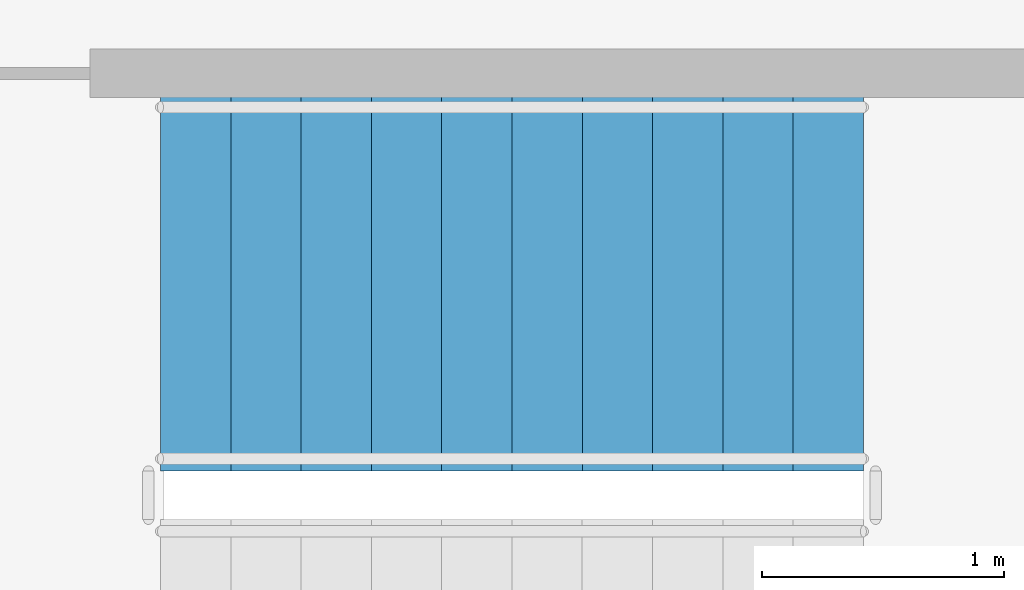
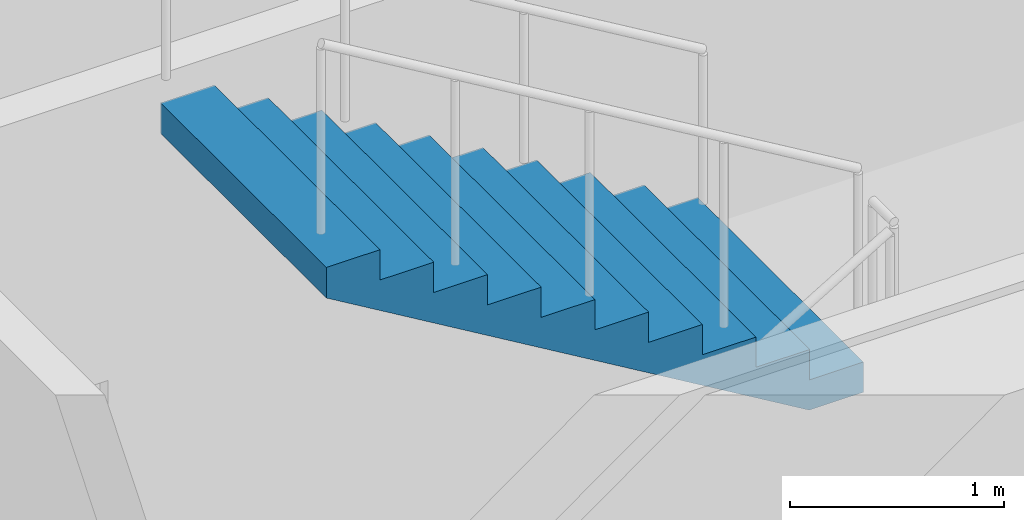
# One storey, part 16 of 20: 1 stair flight, 1 element without a shape of its own.
"""IFC4 building model written with IfcOpenShell, lengths in metres."""

import ifcopenshell
import ifcopenshell.guid

model = None  # the IFC model being written
_history = None  # IfcOwnerHistory: only IFC2X3 demands one
_inside = {}  # id of a spatial element -> (the spatial element, [elements in it])
_under = {}  # id of a project, library or spatial element -> (it, [spatial elements below it])
_declared = {}  # id of a project -> (the project, [libraries it declares])
_typed = {}  # id of a type object -> (the type object, [elements of that type])
_made_of = {}  # id of a material, layer set ... -> (it, [elements and type objects made of it])


def new_model(schema):
    """Start an empty IFC model of exactly this schema.

    Asked for "IFC4X3", IfcOpenShell would pick the latest addendum, in which some entities
    have other attributes; the version numbers below select the first issue.
    IFC2X3 requires an IfcOwnerHistory on every rooted entity: one is made here for all.
    """
    global model, _history
    if schema == "IFC4X3":
        model = ifcopenshell.file(schema_version=(4, 3, 0, 0))
    else:
        model = ifcopenshell.file(schema=schema)
    _inside.clear()
    _under.clear()
    _declared.clear()
    _typed.clear()
    _made_of.clear()
    _history = None
    if model.schema == "IFC2X3":
        org = make("IfcOrganization", Name="unknown")
        user = make(
            "IfcPersonAndOrganization",
            ThePerson=make("IfcPerson", FamilyName="unknown"),
            TheOrganization=org,
        )
        app = make(
            "IfcApplication",
            ApplicationDeveloper=org,
            Version="unknown",
            ApplicationFullName="unknown",
            ApplicationIdentifier="unknown",
        )
        _history = make(
            "IfcOwnerHistory",
            OwningUser=user,
            OwningApplication=app,
            ChangeAction="ADDED",
            CreationDate=0,
        )
    return model


def make(cls, **values):
    """One entity of the class cls with the attributes given. An attribute that is None is left unset."""
    return model.create_entity(
        cls, **{name: value for name, value in values.items() if value is not None}
    )


def rooted(cls, **values):
    """An entity with a GlobalId (a new one), such as an element, a storey or a relation."""
    return make(cls, GlobalId=ifcopenshell.guid.new(), OwnerHistory=_history, **values)


def si_unit(unit_type, name, prefix=None):
    """IfcSIUnit, for example si_unit("LENGTHUNIT", "METRE", prefix="MILLI")."""
    return make("IfcSIUnit", UnitType=unit_type, Prefix=prefix, Name=name)


def assignment(units):
    """IfcUnitAssignment: the units of a project."""
    return None if units is None else make("IfcUnitAssignment", Units=units)


def point(xyz):
    """IfcCartesianPoint."""
    return None if xyz is None else make("IfcCartesianPoint", Coordinates=xyz)


def direction(xyz):
    """IfcDirection."""
    return None if xyz is None else make("IfcDirection", DirectionRatios=xyz)


def frame(location, z_axis=None, x_axis=None):
    """IfcAxis2Placement3D, a coordinate frame: its origin and axes. An axis left out is left unset."""
    return make(
        "IfcAxis2Placement3D",
        Location=point(location),
        Axis=direction(z_axis),
        RefDirection=direction(x_axis),
    )


def origin():
    """The frame at (0, 0, 0) with its axes left unset."""
    return frame((0.0, 0.0, 0.0))


def place(relative_to, where):
    """IfcLocalPlacement: puts the frame where relative to a parent placement (None: the world)."""
    return make(
        "IfcLocalPlacement", PlacementRelTo=relative_to, RelativePlacement=where
    )


def context(
    kind, dimensions, precision=None, world=None, true_north=None, identifier=None
):
    """IfcGeometricRepresentationContext, for example the 3D "Model" context."""
    return make(
        "IfcGeometricRepresentationContext",
        ContextIdentifier=identifier,
        ContextType=kind,
        CoordinateSpaceDimension=dimensions,
        Precision=precision,
        WorldCoordinateSystem=world,
        TrueNorth=true_north,
    )


def subcontext(parent, identifier, kind, view, scale=None):
    """IfcGeometricRepresentationSubContext, for example "Body" below "Model"."""
    return make(
        "IfcGeometricRepresentationSubContext",
        ContextIdentifier=identifier,
        ContextType=kind,
        ParentContext=parent,
        TargetScale=scale,
        TargetView=view,
    )


def project(units=None, contexts=None):
    """IfcProject with its units and contexts."""
    return rooted(
        "IfcProject",
        Name="project",
        RepresentationContexts=contexts,
        UnitsInContext=assignment(units),
    )


def spatial(cls, under=None, at=None, **own):
    """A site, building, storey or space (cls), placed at a placement, below another one or the project."""
    s = rooted(cls, ObjectPlacement=at, **own)
    if under is not None:
        _under.setdefault(under.id(), (under, []))[1].append(s)
    return s


def polyline(points):
    """IfcPolyline through the points."""
    return make("IfcPolyline", Points=[point(p) for p in points])


def outline(outer, holes=None, kind="AREA"):
    """IfcArbitraryClosedProfileDef: a profile drawn as a closed curve; with holes, ...WithVoids."""
    if holes is None:
        return make("IfcArbitraryClosedProfileDef", ProfileType=kind, OuterCurve=outer)
    return make(
        "IfcArbitraryProfileDefWithVoids",
        ProfileType=kind,
        OuterCurve=outer,
        InnerCurves=holes,
    )


def extrude(swept, where, along, depth):
    """IfcExtrudedAreaSolid: the profile swept, set in the frame where, extruded along a direction by depth."""
    return make(
        "IfcExtrudedAreaSolid",
        SweptArea=swept,
        Position=where,
        ExtrudedDirection=direction(along),
        Depth=depth,
    )


def shape(context_of_items, identifier, shape_type, items):
    """IfcShapeRepresentation: the items that make up one representation, for example the "Body"."""
    return make(
        "IfcShapeRepresentation",
        ContextOfItems=context_of_items,
        RepresentationIdentifier=identifier,
        RepresentationType=shape_type,
        Items=items,
    )


def material(Name=None, Category=None):
    """IfcMaterial."""
    return make("IfcMaterial", Name=Name, Category=Category)


def made_of(thing, what):
    """Note that an element or type object is made of a material, layer set ...; save() writes the relation."""
    if what is not None:
        _made_of.setdefault(what.id(), (what, []))[1].append(thing)
    return thing


def type_object(cls, material=None, **own):
    """A type object (cls), such as IfcWallType, which elements share."""
    return made_of(rooted(cls, **own), material)


def element(
    cls,
    number,
    at=None,
    inside=None,
    cuts=None,
    type_object=None,
    material=None,
    context=None,
    identifier="Body",
    shape_type=None,
    held_by="IfcProductDefinitionShape",
    body=None,
    shapes=None,
    **own,
):
    """One element of the class cls, such as IfcWall. Its Tag is "e" and its number.

    at: its placement. inside: the storey or other place that contains it. cuts: it is an
    opening in that element (IfcRelVoidsElement). A single representation is given by context,
    identifier, shape_type and body (its items); several are given by shapes. held_by: the class
    of the entity that holds the representations. save() writes the other relations.
    """
    e = rooted(cls, Tag="e%d" % number, ObjectPlacement=at, **own)
    if body is not None:
        shapes = [shape(context, identifier, shape_type, body)]
    if shapes is not None:
        e.Representation = make(held_by, Representations=shapes)
    if inside is not None:
        _inside.setdefault(inside.id(), (inside, []))[1].append(e)
    if cuts is not None:
        rooted(
            "IfcRelVoidsElement", RelatingBuildingElement=cuts, RelatedOpeningElement=e
        )
    if type_object is not None:
        _typed.setdefault(type_object.id(), (type_object, []))[1].append(e)
    return made_of(e, material)


def aggregate(whole, parts):
    """IfcRelAggregates: a whole, such as a stair, and the parts it consists of."""
    return rooted("IfcRelAggregates", RelatingObject=whole, RelatedObjects=parts)


def save(model, path):
    """Write the relations noted so far, then the file.

    IfcRelAggregates (storeys below a building ...), IfcRelContainedInSpatialStructure (elements
    in a storey), IfcRelDefinesByType, IfcRelAssociatesMaterial and IfcRelDeclares: one each for
    every whole, place, type object, material and project.
    """
    for whole, parts in _under.values():
        aggregate(whole, parts)
    for where, things in _inside.values():
        rooted(
            "IfcRelContainedInSpatialStructure",
            RelatedElements=things,
            RelatingStructure=where,
        )
    for kind, things in _typed.values():
        rooted("IfcRelDefinesByType", RelatedObjects=things, RelatingType=kind)
    for what, things in _made_of.values():
        rooted("IfcRelAssociatesMaterial", RelatedObjects=things, RelatingMaterial=what)
    for by, libraries in _declared.values():
        rooted("IfcRelDeclares", RelatingContext=by, RelatedDefinitions=libraries)
    model.write(path)


model = new_model("IFC4")

# Units and contexts
model_context = context("Model", 3, precision=1e-05, world=origin(), true_north=direction((0.0, 1.0)))
body_context = subcontext(model_context, "Body", "Model", "MODEL_VIEW")
ifc_project = project(units=[si_unit("LENGTHUNIT", "METRE"), si_unit("AREAUNIT", "SQUARE_METRE"), si_unit("VOLUMEUNIT", "CUBIC_METRE"), si_unit("PLANEANGLEUNIT", "RADIAN"), si_unit("MASSUNIT", "GRAM", prefix="KILO")], contexts=[model_context])

# Site, building, storey
site_placement = place(None, origin())
site = spatial("IfcSite", under=ifc_project, at=site_placement, CompositionType="ELEMENT")
building_placement = place(site_placement, origin())
building = spatial("IfcBuilding", under=site, at=building_placement, Name="Putna Gate Headquarters", CompositionType="ELEMENT")
storey_placement = place(building_placement, frame((0.0, 0.0, 112.60009765625)))
storey = spatial("IfcBuildingStorey", under=building, at=storey_placement, Name="L27", CompositionType="ELEMENT", Elevation=112.60009765625)

# Stair, stair flight
ifc_material = material(Name="Concrete C40/50", Category="concrete")
stair_type = type_object("IfcStairType", Name="STAIR-ST2", PredefinedType="HALF_TURN_STAIR", material=ifc_material)
stair_placement = place(storey_placement, origin())
stair = element("IfcStair", 1, at=stair_placement, inside=storey, type_object=stair_type, Name="L27 East Core Exit Stair ST2", PredefinedType="HALF_TURN_STAIR")
stair_flight_type = type_object("IfcStairFlightType", Name="FLIGHT-ST2", PredefinedType="STRAIGHT", material=ifc_material)
stair_flight_placement = place(storey_placement, frame((60.800048828125, 22.125, 1.89990234375), z_axis=(0.0, 0.0, 1.0), x_axis=(-1.0, 0.0, 0.0)))
stair_flight = element("IfcStairFlight", 2, at=stair_flight_placement, type_object=stair_flight_type, Name="ST2 flight 2", NumberOfRisers=11, NumberOfTreads=10, PredefinedType="STRAIGHT", RiserHeight=0.172727273, TreadLength=0.29, context=body_context, shape_type="SweptSolid", body=[
    extrude(outline(polyline([(0.0, 0.0), (0.0, 0.172607421875), (0.2900390625, 0.172607421875), (0.2900390625, 0.345458984375), (0.580078125, 0.345458984375), (0.580078125, 0.51806640625), (0.8701171875, 0.51806640625), (0.8701171875, 0.69091796875), (1.159912109375, 0.69091796875), (1.159912109375, 0.863525390625), (1.449951171875, 0.863525390625), (1.449951171875, 1.036376953125), (1.739990234375, 1.036376953125), (1.739990234375, 1.208984375), (2.030029296875, 1.208984375), (2.030029296875, 1.3818359375), (2.320068359375, 1.3818359375), (2.320068359375, 1.554443359375), (2.610107421875, 1.554443359375), (2.610107421875, 1.727294921875), (2.89990234375, 1.727294921875), (2.89990234375, 1.89990234375), (2.89990234375, 1.552734375), (0.29296875, 0.0), (0.0, 0.0)])), frame((0.0, 0.77490234375, 0.0), z_axis=(0.0, -1.0, 0.0), x_axis=(1.0, 0.0, 0.0)), (0.0, 0.0, 1.0), 1.550048828125),
])
aggregate(stair, [stair_flight])

save(model, "model.ifc")
